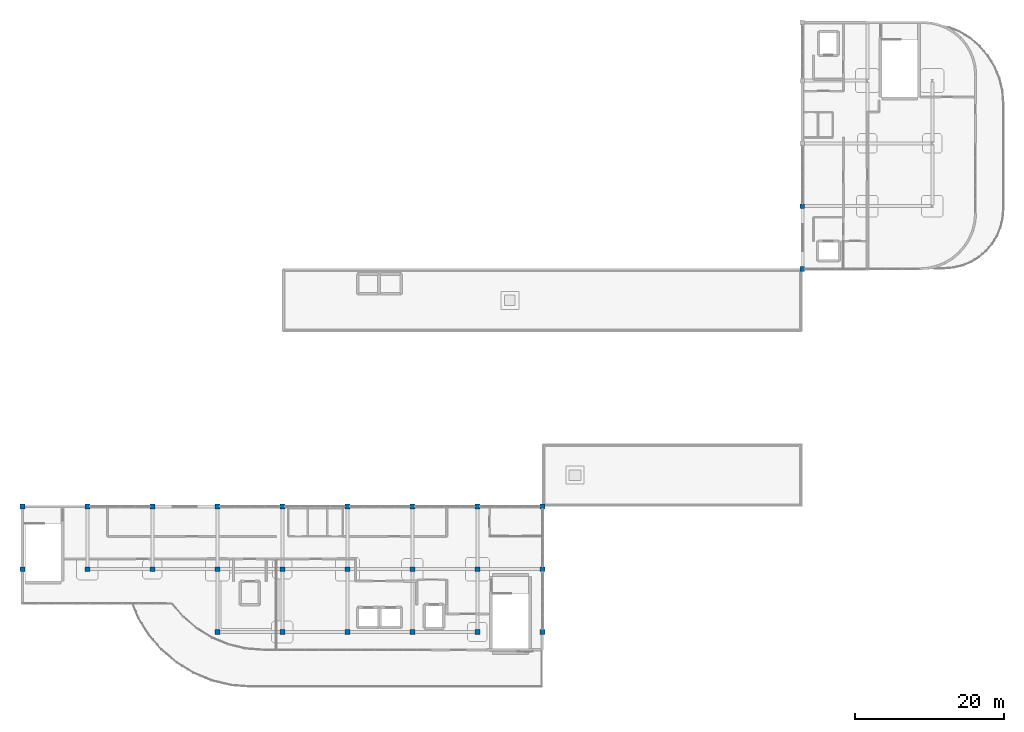
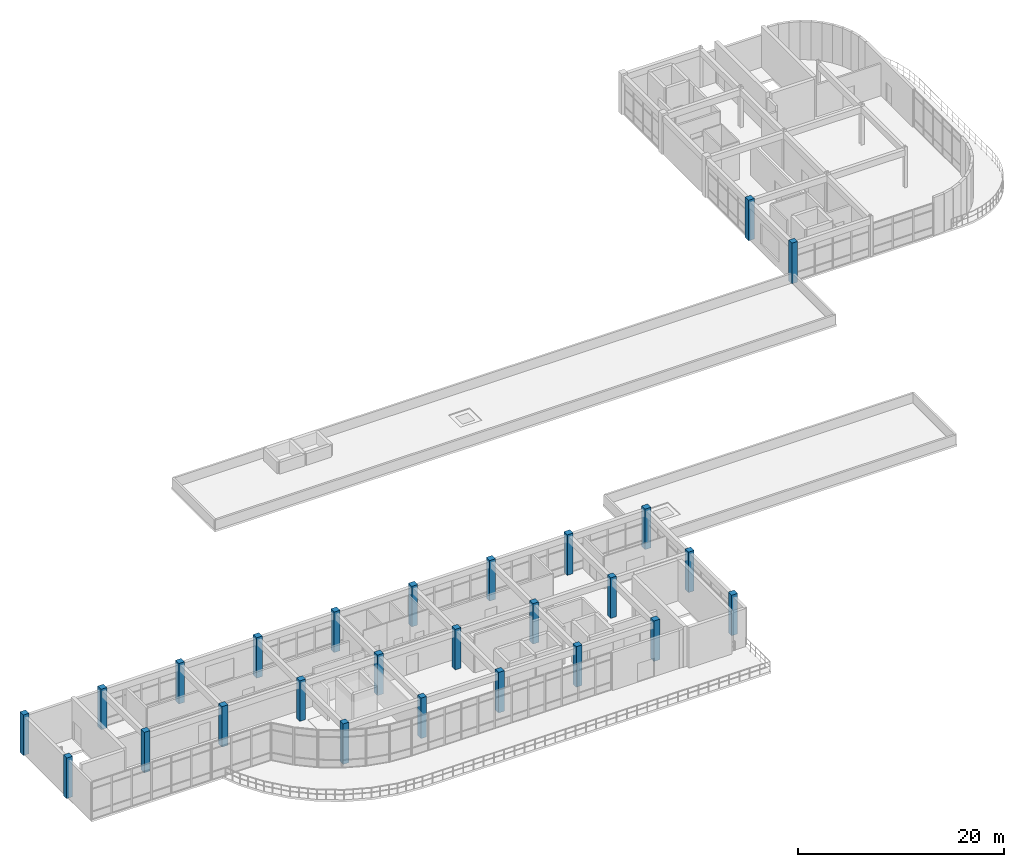
# One storey, part 1 of 41: 26 columns.
"""IFC4 building model written with IfcOpenShell, lengths in metres."""

from ifc_helpers import new_model, si_unit, derived_unit, direction, frame, origin, origin_2d, place, context, subcontext, project, spatial, rectangle, extrude, material, material_profile, profile_set, type_object, element, save


model = new_model("IFC4")

# Units and contexts
model_context = context("Model", 3, precision=1e-05, world=origin(), true_north=direction((0.0, 1.0)))
body_context = subcontext(model_context, "Body", "Model", "MODEL_VIEW")
ifc_project = project(units=[si_unit("LENGTHUNIT", "METRE"), si_unit("AREAUNIT", "SQUARE_METRE"), si_unit("VOLUMEUNIT", "CUBIC_METRE"), si_unit("PLANEANGLEUNIT", "RADIAN"), si_unit("MASSUNIT", "GRAM", prefix="KILO"), derived_unit("THERMALTRANSMITTANCEUNIT", [(si_unit("MASSUNIT", "GRAM", prefix="KILO"), 1), (si_unit("TIMEUNIT", "SECOND"), -3), (si_unit("THERMODYNAMICTEMPERATUREUNIT", "KELVIN"), -1)])], contexts=[model_context])

# Site, building, storey
site_placement = place(None, origin())
site = spatial("IfcSite", under=ifc_project, at=site_placement, CompositionType="ELEMENT")
building_placement = place(site_placement, origin())
building = spatial("IfcBuilding", under=site, at=building_placement, Name="Qinzheling Arcade Emporium", CompositionType="ELEMENT")
storey_placement = place(building_placement, frame((0.0, 0.0, 36.300048828125)))
storey = spatial("IfcBuildingStorey", under=building, at=storey_placement, Name="L08", CompositionType="ELEMENT", Elevation=36.300048828125)

# Columns
ifc_material = material(Name="Concrete C40", Category="concrete")
ifc_material_profile = material_profile(ifc_material, rectangle(XDim=0.64990234375, YDim=0.64990234375, at=origin_2d()), Name="RC 650x650", Category="concrete")
ifc_profile_set = profile_set([ifc_material_profile], Name="Concrete C40")
column_type = type_object("IfcColumnType", Name="RC Column 650x650 C40", PredefinedType="COLUMN", material=ifc_profile_set)
for number, where, z_axis, x_axis, name in (
    (1, (0.0, 33.60009765625, 0.0), (0.0, 0.0, 1.0), (1.0, 0.0, 0.0), "Column COL-L08-1-E"),
    (2, (0.0, 42.0, 0.0), (0.0, 0.0, 1.0), (1.0, 0.0, 0.0), "Column COL-L08-1-F"),
    (3, (8.699951171875, 33.60009765625, 0.0), (0.0, 0.0, 1.0), (1.0, 0.0, 0.0), "Column COL-L08-2-E"),
    (4, (8.699951171875, 42.0, 0.0), (0.0, 0.0, 1.0), (1.0, 0.0, 0.0), "Column COL-L08-2-F"),
    (5, (17.39990234375, 33.60009765625, 0.0), (0.0, 0.0, 1.0), (1.0, 0.0, 0.0), "Column COL-L08-3-E"),
    (6, (17.39990234375, 42.0, 0.0), (0.0, 0.0, 1.0), (1.0, 0.0, 0.0), "Column COL-L08-3-F"),
    (7, (26.10009765625, 25.199951171875, 0.0), (0.0, 0.0, 1.0), (1.0, 0.0, 0.0), "Column COL-L08-4-D"),
    (8, (26.10009765625, 33.60009765625, 0.0), (0.0, 0.0, 1.0), (1.0, 0.0, 0.0), "Column COL-L08-4-E"),
    (9, (26.10009765625, 42.0, 0.0), (0.0, 0.0, 1.0), (1.0, 0.0, 0.0), "Column COL-L08-4-F"),
    (10, (34.800048828125, 25.199951171875, 0.0), (0.0, 0.0, 1.0), (1.0, 0.0, 0.0), "Column COL-L08-5-D"),
    (11, (34.800048828125, 33.60009765625, 0.0), (0.0, 0.0, 1.0), (1.0, 0.0, 0.0), "Column COL-L08-5-E"),
    (12, (34.800048828125, 42.0, 0.0), (0.0, 0.0, 1.0), (1.0, 0.0, 0.0), "Column COL-L08-5-F"),
    (13, (43.5, 25.199951171875, 0.0), (0.0, 0.0, 1.0), (1.0, 0.0, 0.0), "Column COL-L08-6-D"),
    (14, (43.5, 33.60009765625, 0.0), (0.0, 0.0, 1.0), (1.0, 0.0, 0.0), "Column COL-L08-6-E"),
    (15, (43.5, 42.0, 0.0), (0.0, 0.0, 1.0), (1.0, 0.0, 0.0), "Column COL-L08-6-F"),
    (16, (52.199951171875, 25.199951171875, 0.0), (0.0, 0.0, 1.0), (1.0, 0.0, 0.0), "Column COL-L08-7-D"),
    (17, (52.199951171875, 33.60009765625, 0.0), (0.0, 0.0, 1.0), (1.0, 0.0, 0.0), "Column COL-L08-7-E"),
    (18, (52.199951171875, 42.0, 0.0), (0.0, 0.0, 1.0), (1.0, 0.0, 0.0), "Column COL-L08-7-F"),
    (19, (60.89990234375, 25.199951171875, 0.0), (0.0, 0.0, 1.0), (1.0, 0.0, 0.0), "Column COL-L08-8-D"),
    (20, (60.89990234375, 33.60009765625, 0.0), (0.0, 0.0, 1.0), (1.0, 0.0, 0.0), "Column COL-L08-8-E"),
    (21, (60.89990234375, 42.0, 0.0), (0.0, 0.0, 1.0), (1.0, 0.0, 0.0), "Column COL-L08-8-F"),
    (22, (69.60009765625, 25.199951171875, 0.0), (0.0, 0.0, 1.0), (1.0, 0.0, 0.0), "Column COL-L08-9-D"),
    (23, (69.60009765625, 33.60009765625, 0.0), (0.0, 0.0, 1.0), (1.0, 0.0, 0.0), "Column COL-L08-9-E"),
    (24, (69.60009765625, 42.0, 0.0), (0.0, 0.0, 1.0), (1.0, 0.0, 0.0), "Column COL-L08-9-F"),
    (25, (104.39990234375, 73.800048828125, 0.0), (0.0, 0.0, 1.0), (1.0, 0.0, 0.0), "Column COL-L08-13-J"),
    (26, (104.39990234375, 82.199951171875, 0.0), (0.0, 0.0, 1.0), (1.0, 0.0, 0.0), "Column COL-L08-13-K"),
):
    element("IfcColumn", number, at=place(storey_placement, frame(where, z_axis=z_axis, x_axis=x_axis)), inside=storey, type_object=column_type, Name=name, PredefinedType="COLUMN", context=body_context, shape_type="SweptSolid", body=[
        extrude(rectangle(XDim=0.64990234375, YDim=0.64990234375, at=origin_2d()), origin(), (0.0, 0.0, 1.0), 4.800048828125),
    ])

save(model, "model.ifc")
